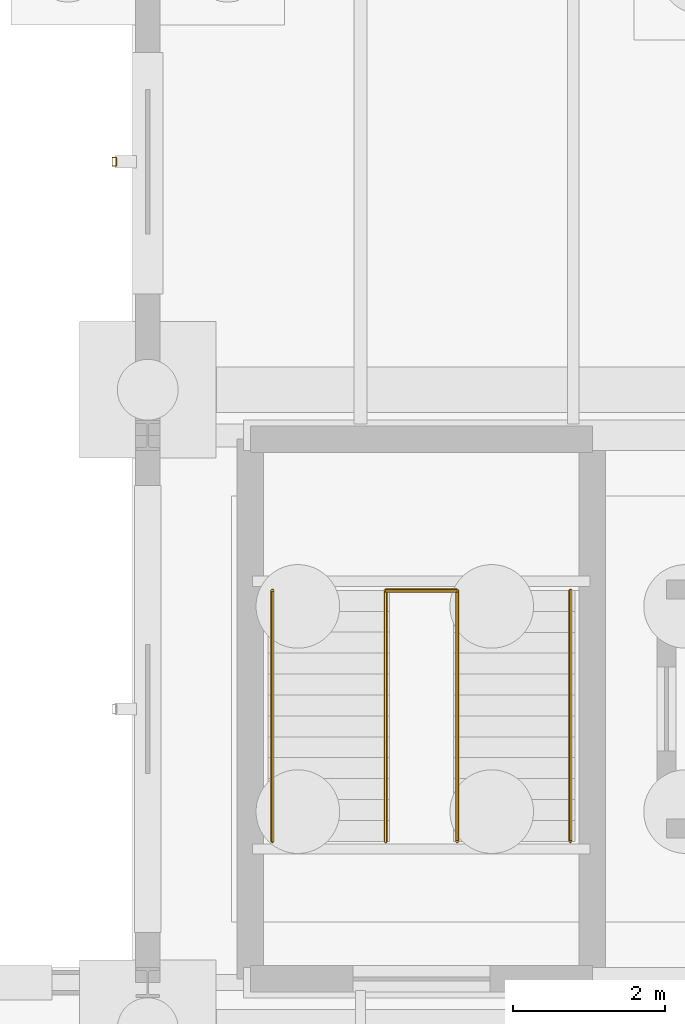
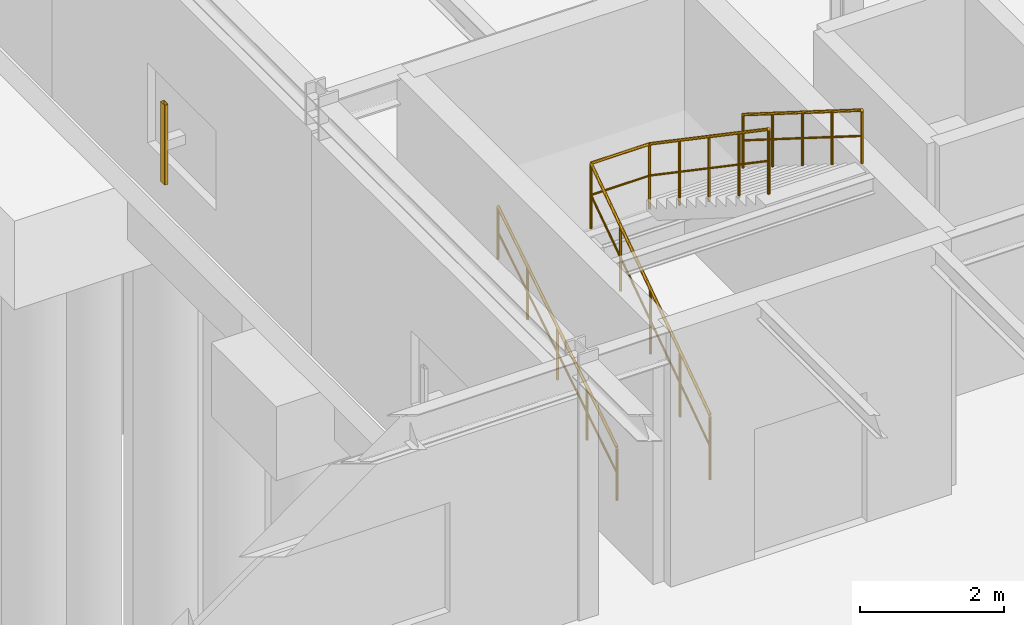
# One storey, part 89 of 93: 5 railings, 1 shading device.
"""IFC4 building model written with IfcOpenShell, lengths in metres."""

import ifcopenshell
import ifcopenshell.guid

model = None  # the IFC model being written
_history = None  # IfcOwnerHistory: only IFC2X3 demands one
_inside = {}  # id of a spatial element -> (the spatial element, [elements in it])
_under = {}  # id of a project, library or spatial element -> (it, [spatial elements below it])
_declared = {}  # id of a project -> (the project, [libraries it declares])
_typed = {}  # id of a type object -> (the type object, [elements of that type])
_made_of = {}  # id of a material, layer set ... -> (it, [elements and type objects made of it])


def new_model(schema):
    """Start an empty IFC model of exactly this schema.

    Asked for "IFC4X3", IfcOpenShell would pick the latest addendum, in which some entities
    have other attributes; the version numbers below select the first issue.
    IFC2X3 requires an IfcOwnerHistory on every rooted entity: one is made here for all.
    """
    global model, _history
    if schema == "IFC4X3":
        model = ifcopenshell.file(schema_version=(4, 3, 0, 0))
    else:
        model = ifcopenshell.file(schema=schema)
    _inside.clear()
    _under.clear()
    _declared.clear()
    _typed.clear()
    _made_of.clear()
    _history = None
    if model.schema == "IFC2X3":
        org = make("IfcOrganization", Name="unknown")
        user = make(
            "IfcPersonAndOrganization",
            ThePerson=make("IfcPerson", FamilyName="unknown"),
            TheOrganization=org,
        )
        app = make(
            "IfcApplication",
            ApplicationDeveloper=org,
            Version="unknown",
            ApplicationFullName="unknown",
            ApplicationIdentifier="unknown",
        )
        _history = make(
            "IfcOwnerHistory",
            OwningUser=user,
            OwningApplication=app,
            ChangeAction="ADDED",
            CreationDate=0,
        )
    return model


def make(cls, **values):
    """One entity of the class cls with the attributes given. An attribute that is None is left unset."""
    return model.create_entity(
        cls, **{name: value for name, value in values.items() if value is not None}
    )


def rooted(cls, **values):
    """An entity with a GlobalId (a new one), such as an element, a storey or a relation."""
    return make(cls, GlobalId=ifcopenshell.guid.new(), OwnerHistory=_history, **values)


def si_unit(unit_type, name, prefix=None):
    """IfcSIUnit, for example si_unit("LENGTHUNIT", "METRE", prefix="MILLI")."""
    return make("IfcSIUnit", UnitType=unit_type, Prefix=prefix, Name=name)


def derived_unit(unit_type, elements):
    """IfcDerivedUnit: a product of units, each with its exponent."""
    return make(
        "IfcDerivedUnit",
        Elements=[
            make("IfcDerivedUnitElement", Unit=unit, Exponent=power)
            for unit, power in elements
        ],
        UnitType=unit_type,
    )


def assignment(units):
    """IfcUnitAssignment: the units of a project."""
    return None if units is None else make("IfcUnitAssignment", Units=units)


def point(xyz):
    """IfcCartesianPoint."""
    return None if xyz is None else make("IfcCartesianPoint", Coordinates=xyz)


def direction(xyz):
    """IfcDirection."""
    return None if xyz is None else make("IfcDirection", DirectionRatios=xyz)


def frame(location, z_axis=None, x_axis=None):
    """IfcAxis2Placement3D, a coordinate frame: its origin and axes. An axis left out is left unset."""
    return make(
        "IfcAxis2Placement3D",
        Location=point(location),
        Axis=direction(z_axis),
        RefDirection=direction(x_axis),
    )


def frame_2d(location, x_axis=None):
    """IfcAxis2Placement2D, a coordinate frame in the plane: its origin and x axis."""
    return make(
        "IfcAxis2Placement2D", Location=point(location), RefDirection=direction(x_axis)
    )


def origin():
    """The frame at (0, 0, 0) with its axes left unset."""
    return frame((0.0, 0.0, 0.0))


def origin_2d():
    """The frame at (0, 0) in the plane with its x axis left unset."""
    return frame_2d((0.0, 0.0))


def place(relative_to, where):
    """IfcLocalPlacement: puts the frame where relative to a parent placement (None: the world)."""
    return make(
        "IfcLocalPlacement", PlacementRelTo=relative_to, RelativePlacement=where
    )


def context(
    kind, dimensions, precision=None, world=None, true_north=None, identifier=None
):
    """IfcGeometricRepresentationContext, for example the 3D "Model" context."""
    return make(
        "IfcGeometricRepresentationContext",
        ContextIdentifier=identifier,
        ContextType=kind,
        CoordinateSpaceDimension=dimensions,
        Precision=precision,
        WorldCoordinateSystem=world,
        TrueNorth=true_north,
    )


def subcontext(parent, identifier, kind, view, scale=None):
    """IfcGeometricRepresentationSubContext, for example "Body" below "Model"."""
    return make(
        "IfcGeometricRepresentationSubContext",
        ContextIdentifier=identifier,
        ContextType=kind,
        ParentContext=parent,
        TargetScale=scale,
        TargetView=view,
    )


def project(units=None, contexts=None):
    """IfcProject with its units and contexts."""
    return rooted(
        "IfcProject",
        Name="project",
        RepresentationContexts=contexts,
        UnitsInContext=assignment(units),
    )


def spatial(cls, under=None, at=None, **own):
    """A site, building, storey or space (cls), placed at a placement, below another one or the project."""
    s = rooted(cls, ObjectPlacement=at, **own)
    if under is not None:
        _under.setdefault(under.id(), (under, []))[1].append(s)
    return s


def profile(cls, at=None, kind="AREA", **sizes):
    """A parametric profile (cls). Its sizes go by their IFC names, for example OverallWidth=200.0."""
    return make(cls, ProfileType=kind, Position=at, **sizes)


def hollow_rectangle(**sizes):
    """IfcRectangleHollowProfileDef."""
    return profile("IfcRectangleHollowProfileDef", **sizes)


def circle(**sizes):
    """IfcCircleProfileDef."""
    return profile("IfcCircleProfileDef", **sizes)


def extrude(swept, where, along, depth):
    """IfcExtrudedAreaSolid: the profile swept, set in the frame where, extruded along a direction by depth."""
    return make(
        "IfcExtrudedAreaSolid",
        SweptArea=swept,
        Position=where,
        ExtrudedDirection=direction(along),
        Depth=depth,
    )


def shape(context_of_items, identifier, shape_type, items):
    """IfcShapeRepresentation: the items that make up one representation, for example the "Body"."""
    return make(
        "IfcShapeRepresentation",
        ContextOfItems=context_of_items,
        RepresentationIdentifier=identifier,
        RepresentationType=shape_type,
        Items=items,
    )


def material(Name=None, Category=None):
    """IfcMaterial."""
    return make("IfcMaterial", Name=Name, Category=Category)


def material_profile(
    of_material, cross_section, Name=None, Category=None, Priority=None
):
    """IfcMaterialProfile: a cross section and its material."""
    return make(
        "IfcMaterialProfile",
        Name=Name,
        Material=of_material,
        Profile=cross_section,
        Priority=Priority,
        Category=Category,
    )


def profile_set(profiles, Name=None, composite=None):
    """IfcMaterialProfileSet."""
    return make(
        "IfcMaterialProfileSet",
        Name=Name,
        MaterialProfiles=profiles,
        CompositeProfile=composite,
    )


def made_of(thing, what):
    """Note that an element or type object is made of a material, layer set ...; save() writes the relation."""
    if what is not None:
        _made_of.setdefault(what.id(), (what, []))[1].append(thing)
    return thing


def type_object(cls, material=None, **own):
    """A type object (cls), such as IfcWallType, which elements share."""
    return made_of(rooted(cls, **own), material)


def element(
    cls,
    number,
    at=None,
    inside=None,
    cuts=None,
    type_object=None,
    material=None,
    context=None,
    identifier="Body",
    shape_type=None,
    held_by="IfcProductDefinitionShape",
    body=None,
    shapes=None,
    **own,
):
    """One element of the class cls, such as IfcWall. Its Tag is "e" and its number.

    at: its placement. inside: the storey or other place that contains it. cuts: it is an
    opening in that element (IfcRelVoidsElement). A single representation is given by context,
    identifier, shape_type and body (its items); several are given by shapes. held_by: the class
    of the entity that holds the representations. save() writes the other relations.
    """
    e = rooted(cls, Tag="e%d" % number, ObjectPlacement=at, **own)
    if body is not None:
        shapes = [shape(context, identifier, shape_type, body)]
    if shapes is not None:
        e.Representation = make(held_by, Representations=shapes)
    if inside is not None:
        _inside.setdefault(inside.id(), (inside, []))[1].append(e)
    if cuts is not None:
        rooted(
            "IfcRelVoidsElement", RelatingBuildingElement=cuts, RelatedOpeningElement=e
        )
    if type_object is not None:
        _typed.setdefault(type_object.id(), (type_object, []))[1].append(e)
    return made_of(e, material)


def aggregate(whole, parts):
    """IfcRelAggregates: a whole, such as a stair, and the parts it consists of."""
    return rooted("IfcRelAggregates", RelatingObject=whole, RelatedObjects=parts)


def save(model, path):
    """Write the relations noted so far, then the file.

    IfcRelAggregates (storeys below a building ...), IfcRelContainedInSpatialStructure (elements
    in a storey), IfcRelDefinesByType, IfcRelAssociatesMaterial and IfcRelDeclares: one each for
    every whole, place, type object, material and project.
    """
    for whole, parts in _under.values():
        aggregate(whole, parts)
    for where, things in _inside.values():
        rooted(
            "IfcRelContainedInSpatialStructure",
            RelatedElements=things,
            RelatingStructure=where,
        )
    for kind, things in _typed.values():
        rooted("IfcRelDefinesByType", RelatedObjects=things, RelatingType=kind)
    for what, things in _made_of.values():
        rooted("IfcRelAssociatesMaterial", RelatedObjects=things, RelatingMaterial=what)
    for by, libraries in _declared.values():
        rooted("IfcRelDeclares", RelatingContext=by, RelatedDefinitions=libraries)
    model.write(path)


model = new_model("IFC4")

# Units and contexts
model_context = context("Model", 3, precision=1e-05, world=origin(), true_north=direction((0.0, 1.0)))
body_context = subcontext(model_context, "Body", "Model", "MODEL_VIEW")
ifc_project = project(units=[si_unit("LENGTHUNIT", "METRE"), si_unit("AREAUNIT", "SQUARE_METRE"), si_unit("VOLUMEUNIT", "CUBIC_METRE"), si_unit("PLANEANGLEUNIT", "RADIAN"), si_unit("MASSUNIT", "GRAM", prefix="KILO"), derived_unit("THERMALTRANSMITTANCEUNIT", [(si_unit("MASSUNIT", "GRAM", prefix="KILO"), 1), (si_unit("TIMEUNIT", "SECOND"), -3), (si_unit("THERMODYNAMICTEMPERATUREUNIT", "KELVIN"), -1)])], contexts=[model_context])

# Site, building, storey
site_placement = place(None, origin())
site = spatial("IfcSite", under=ifc_project, at=site_placement, CompositionType="ELEMENT")
building_placement = place(site_placement, origin())
building = spatial("IfcBuilding", under=site, at=building_placement, Name="Kharveza Railside Sports Centre", CompositionType="ELEMENT")
storey_placement = place(building_placement, origin())
storey = spatial("IfcBuildingStorey", under=building, at=storey_placement, Name="L00", CompositionType="ELEMENT", Elevation=0.0)

# Railings
ifc_material_1 = material(Name="Steel S275JR", Category="steel")
railing_type_1 = type_object("IfcRailingType", Name="RL-GD110", PredefinedType="GUARDRAIL", material=ifc_material_1)
railing_1_placement = place(storey_placement, frame((145.929931640625, 37.860107421875, 0.0)))
element("IfcRailing", 1, at=railing_1_placement, inside=storey, type_object=railing_type_1, Name="STR-ST1-L00-GD1", PredefinedType="GUARDRAIL", context=body_context, shape_type="SweptSolid", body=[
    extrude(circle(Radius=0.02392578125, at=origin_2d()), frame((0.0, 0.0, 1.09619140625), z_axis=(0.0, 0.826211823288, 0.56335958593), x_axis=(-1.0, 0.0, 0.0)), (0.0, 0.0, 1.0), 3.993896484375),
    extrude(circle(Radius=0.01611328125, at=origin_2d()), frame((0.0, 0.0, 0.56005859375), z_axis=(0.0, 0.826211823288, 0.56335958593), x_axis=(-1.0, 0.0, 0.0)), (0.0, 0.0, 1.0), 3.993896484375),
    extrude(circle(Radius=0.02099609375, at=origin_2d()), origin(), (0.0, 0.0, 1.0), 1.072021484375),
    extrude(circle(Radius=0.02099609375, at=origin_2d()), frame((0.0, 0.824951171875, 0.5625)), (0.0, 0.0, 1.0), 1.072021484375),
    extrude(circle(Radius=0.02099609375, at=origin_2d()), frame((0.0, 1.64990234375, 1.125)), (0.0, 0.0, 1.0), 1.072021484375),
    extrude(circle(Radius=0.02099609375, at=origin_2d()), frame((0.0, 2.474853515625, 1.6875)), (0.0, 0.0, 1.0), 1.072021484375),
    extrude(circle(Radius=0.02099609375, at=origin_2d()), frame((0.0, 3.2998046875, 2.25)), (0.0, 0.0, 1.0), 1.072021484375),
])
railing_2_placement = place(storey_placement, frame((146.8701171875, 41.159912109375, 2.25)))
element("IfcRailing", 2, at=railing_2_placement, inside=storey, type_object=railing_type_1, Name="STR-ST1-L00-GD2", PredefinedType="GUARDRAIL", context=body_context, shape_type="SweptSolid", body=[
    extrude(circle(Radius=0.02392578125, at=origin_2d()), frame((0.0, 0.0, 1.09619140625), z_axis=(0.0, -0.826211823288, 0.56335958593), x_axis=(1.0, 0.0, 0.0)), (0.0, 0.0, 1.0), 3.993896484375),
    extrude(circle(Radius=0.01611328125, at=origin_2d()), frame((0.0, 0.0, 0.56005859375), z_axis=(0.0, -0.826211823288, 0.56335958593), x_axis=(1.0, 0.0, 0.0)), (0.0, 0.0, 1.0), 3.993896484375),
    extrude(circle(Radius=0.02099609375, at=origin_2d()), origin(), (0.0, 0.0, 1.0), 1.072021484375),
    extrude(circle(Radius=0.02099609375, at=origin_2d()), frame((0.0, -0.824951171875, 0.5625)), (0.0, 0.0, 1.0), 1.072021484375),
    extrude(circle(Radius=0.02099609375, at=origin_2d()), frame((0.0, -1.64990234375, 1.125)), (0.0, 0.0, 1.0), 1.072021484375),
    extrude(circle(Radius=0.02099609375, at=origin_2d()), frame((0.0, -2.474853515625, 1.6875)), (0.0, 0.0, 1.0), 1.072021484375),
    extrude(circle(Radius=0.02099609375, at=origin_2d()), frame((0.0, -3.2998046875, 2.25)), (0.0, 0.0, 1.0), 1.072021484375),
])
railing_3_placement = place(storey_placement, frame((145.929931640625, 41.159912109375, 2.25)))
element("IfcRailing", 3, at=railing_3_placement, inside=storey, type_object=railing_type_1, Name="STR-ST1-L00-GDH", PredefinedType="GUARDRAIL", context=body_context, shape_type="SweptSolid", body=[
    extrude(circle(Radius=0.02392578125, at=origin_2d()), frame((0.0, 0.0, 1.09619140625), z_axis=(1.0, 0.0, 0.0), x_axis=(0.0, 1.0, 0.0)), (0.0, 0.0, 1.0), 0.940185546875),
    extrude(circle(Radius=0.01611328125, at=origin_2d()), frame((0.0, 0.0, 0.56005859375), z_axis=(1.0, 0.0, 0.0), x_axis=(0.0, 1.0, 0.0)), (0.0, 0.0, 1.0), 0.940185546875),
    extrude(circle(Radius=0.02099609375, at=origin_2d()), origin(), (0.0, 0.0, 1.0), 1.072021484375),
    extrude(circle(Radius=0.02099609375, at=origin_2d()), frame((0.940185546875, 0.0, 0.0)), (0.0, 0.0, 1.0), 1.072021484375),
])
railing_type_2 = type_object("IfcRailingType", Name="RL-HR092", PredefinedType="HANDRAIL", material=ifc_material_1)
railing_4_placement = place(storey_placement, frame((144.43994140625, 37.860107421875, 0.173095703125)))
element("IfcRailing", 4, at=railing_4_placement, inside=storey, type_object=railing_type_2, Name="STR-ST1-L00-HR1", PredefinedType="HANDRAIL", context=body_context, shape_type="SweptSolid", body=[
    extrude(circle(Radius=0.02392578125, at=origin_2d()), frame((0.0, 0.0, 0.89599609375), z_axis=(0.0, 0.846319618018, 0.532675421018), x_axis=(-1.0, 0.0, 0.0)), (0.0, 0.0, 1.0), 3.89892578125),
    extrude(circle(Radius=0.01611328125, at=origin_2d()), frame((0.0, 0.0, 0.4599609375), z_axis=(0.0, 0.846319618018, 0.532675421018), x_axis=(-1.0, 0.0, 0.0)), (0.0, 0.0, 1.0), 3.89892578125),
    extrude(circle(Radius=0.02099609375, at=origin_2d()), origin(), (0.0, 0.0, 1.0), 0.871826171875),
    extrude(circle(Radius=0.02099609375, at=origin_2d()), frame((0.0, 0.824951171875, 0.519287109375)), (0.0, 0.0, 1.0), 0.871826171875),
    extrude(circle(Radius=0.02099609375, at=origin_2d()), frame((0.0, 1.64990234375, 1.03857421875)), (0.0, 0.0, 1.0), 0.871826171875),
    extrude(circle(Radius=0.02099609375, at=origin_2d()), frame((0.0, 2.474853515625, 1.5576171875)), (0.0, 0.0, 1.0), 0.871826171875),
    extrude(circle(Radius=0.02099609375, at=origin_2d()), frame((0.0, 3.2998046875, 2.076904296875)), (0.0, 0.0, 1.0), 0.871826171875),
])
railing_5_placement = place(storey_placement, frame((148.360107421875, 41.159912109375, 2.423095703125)))
element("IfcRailing", 5, at=railing_5_placement, inside=storey, type_object=railing_type_2, Name="STR-ST1-L00-HR2", PredefinedType="HANDRAIL", context=body_context, shape_type="SweptSolid", body=[
    extrude(circle(Radius=0.02392578125, at=origin_2d()), frame((0.0, 0.0, 0.89599609375), z_axis=(0.0, -0.846319618018, 0.532675421018), x_axis=(1.0, 0.0, 0.0)), (0.0, 0.0, 1.0), 3.89892578125),
    extrude(circle(Radius=0.01611328125, at=origin_2d()), frame((0.0, 0.0, 0.4599609375), z_axis=(0.0, -0.846319618018, 0.532675421018), x_axis=(1.0, 0.0, 0.0)), (0.0, 0.0, 1.0), 3.89892578125),
    extrude(circle(Radius=0.02099609375, at=origin_2d()), origin(), (0.0, 0.0, 1.0), 0.871826171875),
    extrude(circle(Radius=0.02099609375, at=origin_2d()), frame((0.0, -0.824951171875, 0.519287109375)), (0.0, 0.0, 1.0), 0.871826171875),
    extrude(circle(Radius=0.02099609375, at=origin_2d()), frame((0.0, -1.64990234375, 1.03857421875)), (0.0, 0.0, 1.0), 0.871826171875),
    extrude(circle(Radius=0.02099609375, at=origin_2d()), frame((0.0, -2.474853515625, 1.5576171875)), (0.0, 0.0, 1.0), 0.871826171875),
    extrude(circle(Radius=0.02099609375, at=origin_2d()), frame((0.0, -3.2998046875, 2.076904296875)), (0.0, 0.0, 1.0), 0.871826171875),
])

# Shading device
ifc_material_2 = material(Name="Anodised aluminium 6063-T6", Category="aluminium")
ifc_material_profile = material_profile(ifc_material_2, hollow_rectangle(XDim=0.06005859375, YDim=0.1201171875, WallThickness=0.0048828125, InnerFilletRadius=0.0048828125, OuterFilletRadius=0.010009765625, at=origin_2d()), Name="RHS 60x120x5.0")
ifc_profile_set = profile_set([ifc_material_profile], Name="Anodised aluminium 6063-T6")
shading_device_type = type_object("IfcShadingDeviceType", Name="SD-LV01", PredefinedType="JALOUSIE", material=ifc_profile_set)
shading_device_placement = place(storey_placement, frame((142.360107421875, 46.800048828125, 0.85009765625), z_axis=(0.0, 0.0, 1.0), x_axis=(-1.0, 0.0, 0.0)))
element("IfcShadingDevice", 6, at=shading_device_placement, inside=storey, type_object=shading_device_type, Name="SD-FIN-006", PredefinedType="JALOUSIE", context=body_context, shape_type="SweptSolid", body=[
    extrude(hollow_rectangle(XDim=0.06005859375, YDim=0.1201171875, WallThickness=0.0048828125, InnerFilletRadius=0.0048828125, OuterFilletRadius=0.010009765625, at=origin_2d()), origin(), (0.0, 0.0, 1.0), 1.349853515625),
])

save(model, "model.ifc")
